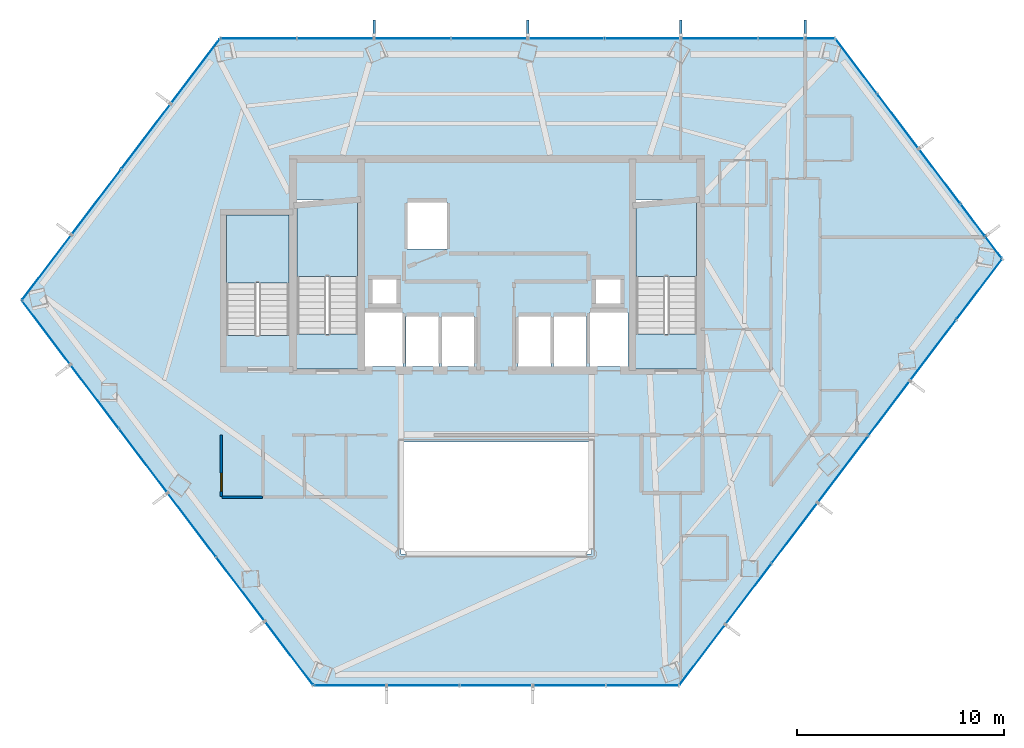
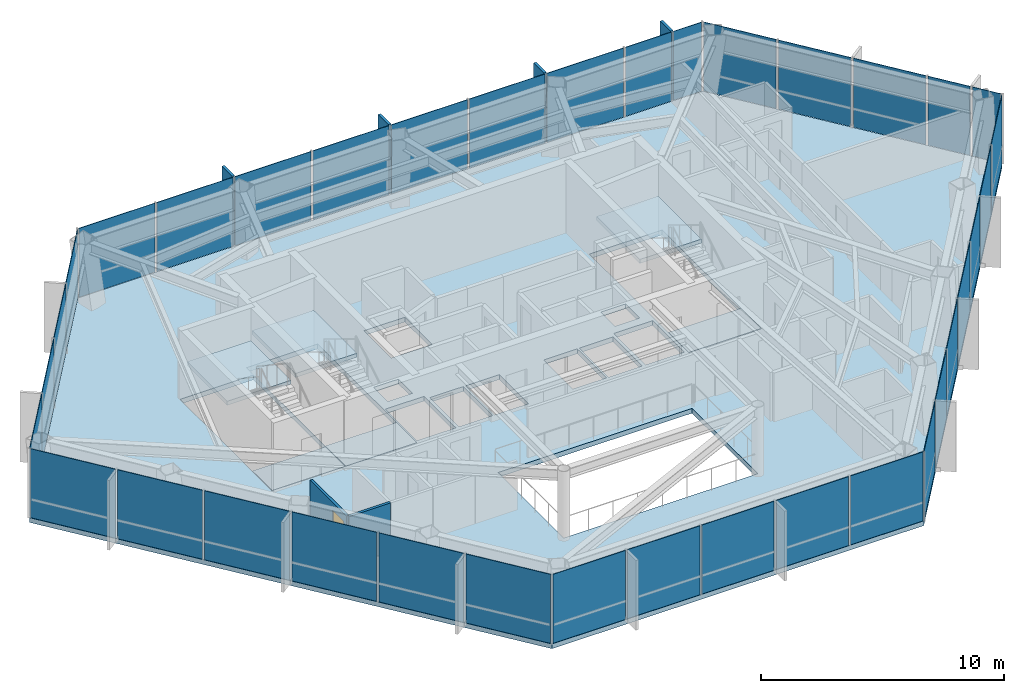
# One storey, part 26 of 30: 36 plates, 7 slabs, 4 members, 2 walls, 1 door, 1 opening, 9 elements without a shape of their own.
"""IFC4 building model written with IfcOpenShell, lengths in metres."""

from ifc_helpers import new_model, si_unit, direction, frame, frame_2d, origin, origin_2d, place, context, subcontext, project, spatial, polyline, rectangle, outline, extrude, material, layer, layer_set, material_profile, profile_set, type_object, element, fill, aggregate, save


model = new_model("IFC4")

# Units and contexts
model_context = context("Model", 3, precision=1e-05, world=origin(), true_north=direction((0.0, 1.0)))
body_context = subcontext(model_context, "Body", "Model", "MODEL_VIEW")
ifc_project = project(units=[si_unit("LENGTHUNIT", "METRE"), si_unit("AREAUNIT", "SQUARE_METRE"), si_unit("VOLUMEUNIT", "CUBIC_METRE"), si_unit("PLANEANGLEUNIT", "RADIAN"), si_unit("MASSUNIT", "GRAM", prefix="KILO")], contexts=[model_context])

# Site, building, storey
site_placement = place(None, origin())
site = spatial("IfcSite", under=ifc_project, at=site_placement, CompositionType="ELEMENT")
building_placement = place(site_placement, origin())
building = spatial("IfcBuilding", under=site, at=building_placement, Name="Zarrinselat Tower", CompositionType="ELEMENT")
storey_placement = place(building_placement, frame((0.0, 0.0, 130.89990234375)))
storey = spatial("IfcBuildingStorey", under=building, at=storey_placement, Name="L31", CompositionType="ELEMENT", Elevation=130.89990234375)

# Curtain wall, members, plates
ifc_material_1 = material(Name="Extruded Aluminium Alloy EN AW-6063 T6", Category="aluminium")
ifc_layer_1 = layer(ifc_material_1, 0.175048828125)
ifc_layer_set_1 = layer_set([ifc_layer_1], Name="Extruded Aluminium Alloy EN AW-6063 T6")
curtain_wall_type = type_object("IfcCurtainWallType", Name="CWS-HTL", PredefinedType="NOTDEFINED", material=ifc_layer_set_1)
curtain_wall_1_placement = place(storey_placement, origin())
curtain_wall_1 = element("IfcCurtainWall", 1, at=curtain_wall_1_placement, inside=storey, type_object=curtain_wall_type, Name="L31 Unitised Curtain Wall CW-L31-E01", PredefinedType="NOTDEFINED")
ifc_material_2 = material(Name="Honed Cream Travertine Stone", Category="masonry")
ifc_material_profile = material_profile(ifc_material_2, rectangle(XDim=0.1201171875, YDim=0.85009765625, at=origin_2d()), Name="FIN 850x120")
ifc_profile_set = profile_set([ifc_material_profile], Name="Honed Cream Travertine Stone")
member_type = type_object("IfcMemberType", Name="MEM-STONE-FIN", PredefinedType="USERDEFINED", material=ifc_profile_set)
member_1_placement = place(storey_placement, frame((53.300048828125, 49.726806640625, 0.0), z_axis=(0.0, 0.0, 1.0), x_axis=(1.0, 0.0, 0.0)))
member_1 = element("IfcMember", 2, at=member_1_placement, type_object=member_type, Name="L31 Stone Shading Fin CW-L31-E01-01", ObjectType="FIN", PredefinedType="USERDEFINED", context=body_context, shape_type="SweptSolid", body=[
    extrude(rectangle(XDim=0.1201171875, YDim=0.85009765625, at=origin_2d()), origin(), (0.0, 0.0, 1.0), 3.5),
])
member_2_placement = place(storey_placement, frame((47.300048828125, 49.726806640625, 0.0), z_axis=(0.0, 0.0, 1.0), x_axis=(1.0, 0.0, 0.0)))
member_2 = element("IfcMember", 3, at=member_2_placement, type_object=member_type, Name="L31 Stone Shading Fin CW-L31-E01-03", ObjectType="FIN", PredefinedType="USERDEFINED", context=body_context, shape_type="SweptSolid", body=[
    extrude(rectangle(XDim=0.1201171875, YDim=0.85009765625, at=origin_2d()), origin(), (0.0, 0.0, 1.0), 3.5),
])
member_3_placement = place(storey_placement, frame((39.91552734375, 49.726806640625, 0.0), z_axis=(0.0, 0.0, 1.0), x_axis=(1.0, 0.0, 0.0)))
member_3 = element("IfcMember", 4, at=member_3_placement, type_object=member_type, Name="L31 Stone Shading Fin CW-L31-E01-05", ObjectType="FIN", PredefinedType="USERDEFINED", context=body_context, shape_type="SweptSolid", body=[
    extrude(rectangle(XDim=0.1201171875, YDim=0.85009765625, at=origin_2d()), origin(), (0.0, 0.0, 1.0), 3.5),
])
member_4_placement = place(storey_placement, frame((32.504638671875, 49.726806640625, 0.0), z_axis=(0.0, 0.0, 1.0), x_axis=(1.0, 0.0, 0.0)))
member_4 = element("IfcMember", 5, at=member_4_placement, type_object=member_type, Name="L31 Stone Shading Fin CW-L31-E01-07", ObjectType="FIN", PredefinedType="USERDEFINED", context=body_context, shape_type="SweptSolid", body=[
    extrude(rectangle(XDim=0.1201171875, YDim=0.85009765625, at=origin_2d()), origin(), (0.0, 0.0, 1.0), 3.5),
])
ifc_material_3 = material(Name="Double Low-E Laminated Solar Glass", Category="glass")
ifc_layer_2 = layer(ifc_material_3, 0.028076171875)
ifc_layer_set_2 = layer_set([ifc_layer_2], Name="Double Low-E Laminated Solar Glass")
plate_type = type_object("IfcPlateType", Name="PLT-CW-GL28", PredefinedType="CURTAIN_PANEL", material=ifc_layer_set_2)
plate_1_placement = place(storey_placement, frame((54.018798828125, 49.2666015625, 0.02001953125), z_axis=(0.0, 0.0, 1.0), x_axis=(-1.0, 0.0, 0.0)))
plate_1 = element("IfcPlate", 6, at=plate_1_placement, type_object=plate_type, Name="CW-L31-E01 Vision Glass Panel 1", PredefinedType="CURTAIN_PANEL", context=body_context, shape_type="SweptSolid", body=[
    extrude(rectangle(XDim=1.337646484375, YDim=0.028076171875, at=origin_2d()), origin(), (0.0, 0.0, 1.0), 3.4599609375),
])
plate_2_placement = place(storey_placement, frame((52.166015625, 49.2666015625, 0.02001953125), z_axis=(0.0, 0.0, 1.0), x_axis=(-1.0, 0.0, 0.0)))
plate_2 = element("IfcPlate", 7, at=plate_2_placement, type_object=plate_type, Name="CW-L31-E01 Vision Glass Panel 2", PredefinedType="CURTAIN_PANEL", context=body_context, shape_type="SweptSolid", body=[
    extrude(rectangle(XDim=2.16796875, YDim=0.028076171875, at=origin_2d()), origin(), (0.0, 0.0, 1.0), 3.4599609375),
])
plate_3_placement = place(storey_placement, frame((49.166015625, 49.2666015625, 0.02001953125), z_axis=(0.0, 0.0, 1.0), x_axis=(-1.0, 0.0, 0.0)))
plate_3 = element("IfcPlate", 8, at=plate_3_placement, type_object=plate_type, Name="CW-L31-E01 Vision Glass Panel 3", PredefinedType="CURTAIN_PANEL", context=body_context, shape_type="SweptSolid", body=[
    extrude(rectangle(XDim=3.632080078125, YDim=0.028076171875, at=origin_2d()), origin(), (0.0, 0.0, 1.0), 3.4599609375),
])
plate_4_placement = place(storey_placement, frame((45.46044921875, 49.2666015625, 0.02001953125), z_axis=(0.0, 0.0, 1.0), x_axis=(-1.0, 0.0, 0.0)))
plate_4 = element("IfcPlate", 9, at=plate_4_placement, type_object=plate_type, Name="CW-L31-E01 Vision Glass Panel 4", PredefinedType="CURTAIN_PANEL", context=body_context, shape_type="SweptSolid", body=[
    extrude(rectangle(XDim=3.578857421875, YDim=0.028076171875, at=origin_2d()), origin(), (0.0, 0.0, 1.0), 3.4599609375),
])
plate_5_placement = place(storey_placement, frame((41.768310546875, 49.2666015625, 0.02001953125), z_axis=(0.0, 0.0, 1.0), x_axis=(-1.0, 0.0, 0.0)))
plate_5 = element("IfcPlate", 10, at=plate_5_placement, type_object=plate_type, Name="CW-L31-E01 Vision Glass Panel 5", PredefinedType="CURTAIN_PANEL", context=body_context, shape_type="SweptSolid", body=[
    extrude(rectangle(XDim=3.60546875, YDim=0.028076171875, at=origin_2d()), origin(), (0.0, 0.0, 1.0), 3.4599609375),
])
plate_6_placement = place(storey_placement, frame((38.062744140625, 49.2666015625, 0.02001953125), z_axis=(0.0, 0.0, 1.0), x_axis=(-1.0, 0.0, 0.0)))
plate_6 = element("IfcPlate", 11, at=plate_6_placement, type_object=plate_type, Name="CW-L31-E01 Vision Glass Panel 6", PredefinedType="CURTAIN_PANEL", context=body_context, shape_type="SweptSolid", body=[
    extrude(rectangle(XDim=3.60546875, YDim=0.028076171875, at=origin_2d()), origin(), (0.0, 0.0, 1.0), 3.4599609375),
])
plate_7_placement = place(storey_placement, frame((34.357421875, 49.2666015625, 0.02001953125), z_axis=(0.0, 0.0, 1.0), x_axis=(-1.0, 0.0, 0.0)))
plate_7 = element("IfcPlate", 12, at=plate_7_placement, type_object=plate_type, Name="CW-L31-E01 Vision Glass Panel 7", PredefinedType="CURTAIN_PANEL", context=body_context, shape_type="SweptSolid", body=[
    extrude(rectangle(XDim=3.60546875, YDim=0.028076171875, at=origin_2d()), origin(), (0.0, 0.0, 1.0), 3.4599609375),
])
plate_8_placement = place(storey_placement, frame((30.65185546875, 49.2666015625, 0.02001953125), z_axis=(0.0, 0.0, 1.0), x_axis=(-1.0, 0.0, 0.0)))
plate_8 = element("IfcPlate", 13, at=plate_8_placement, type_object=plate_type, Name="CW-L31-E01 Vision Glass Panel 8", PredefinedType="CURTAIN_PANEL", context=body_context, shape_type="SweptSolid", body=[
    extrude(rectangle(XDim=3.60546875, YDim=0.028076171875, at=origin_2d()), origin(), (0.0, 0.0, 1.0), 3.4599609375),
])
plate_9_placement = place(storey_placement, frame((26.9462890625, 49.2666015625, 0.02001953125), z_axis=(0.0, 0.0, 1.0), x_axis=(-1.0, 0.0, 0.0)))
plate_9 = element("IfcPlate", 14, at=plate_9_placement, type_object=plate_type, Name="CW-L31-E01 Vision Glass Panel 9", PredefinedType="CURTAIN_PANEL", context=body_context, shape_type="SweptSolid", body=[
    extrude(rectangle(XDim=3.60546875, YDim=0.028076171875, at=origin_2d()), origin(), (0.0, 0.0, 1.0), 3.4599609375),
])
aggregate(curtain_wall_1, [member_1, member_2, member_3, member_4, plate_1, plate_2, plate_3, plate_4, plate_5, plate_6, plate_7, plate_8, plate_9])

# Curtain wall, plates
curtain_wall_2_placement = place(storey_placement, origin())
curtain_wall_2 = element("IfcCurtainWall", 15, at=curtain_wall_2_placement, inside=storey, type_object=curtain_wall_type, Name="L31 Unitised Curtain Wall CW-L31-E02", PredefinedType="NOTDEFINED")
plate_10_placement = place(storey_placement, frame((23.896728515625, 47.68701171875, 0.02001953125), z_axis=(0.0, 0.0, 1.0), x_axis=(-0.603858052292, -0.797091872172, 0.0)))
plate_10 = element("IfcPlate", 16, at=plate_10_placement, type_object=plate_type, Name="CW-L31-E02 Vision Glass Panel 1", PredefinedType="CURTAIN_PANEL", context=body_context, shape_type="SweptSolid", body=[
    extrude(rectangle(XDim=3.86376953125, YDim=0.028076171875, at=origin_2d()), origin(), (0.0, 0.0, 1.0), 3.4599609375),
])
plate_11_placement = place(storey_placement, frame((21.50341796875, 44.527587890625, 0.02001953125), z_axis=(0.0, 0.0, 1.0), x_axis=(-0.603858052292, -0.797091872172, 0.0)))
plate_11 = element("IfcPlate", 17, at=plate_11_placement, type_object=plate_type, Name="CW-L31-E02 Vision Glass Panel 2", PredefinedType="CURTAIN_PANEL", context=body_context, shape_type="SweptSolid", body=[
    extrude(rectangle(XDim=3.86376953125, YDim=0.028076171875, at=origin_2d()), origin(), (0.0, 0.0, 1.0), 3.4599609375),
])
plate_12_placement = place(storey_placement, frame((19.10986328125, 41.3681640625, 0.02001953125), z_axis=(0.0, 0.0, 1.0), x_axis=(-0.603858052292, -0.797091872172, 0.0)))
plate_12 = element("IfcPlate", 18, at=plate_12_placement, type_object=plate_type, Name="CW-L31-E02 Vision Glass Panel 3", PredefinedType="CURTAIN_PANEL", context=body_context, shape_type="SweptSolid", body=[
    extrude(rectangle(XDim=3.86376953125, YDim=0.028076171875, at=origin_2d()), origin(), (0.0, 0.0, 1.0), 3.4599609375),
])
plate_13_placement = place(storey_placement, frame((16.71630859375, 38.20849609375, 0.02001953125), z_axis=(0.0, 0.0, 1.0), x_axis=(-0.603858052292, -0.797091872172, 0.0)))
plate_13 = element("IfcPlate", 19, at=plate_13_placement, type_object=plate_type, Name="CW-L31-E02 Vision Glass Panel 4", PredefinedType="CURTAIN_PANEL", context=body_context, shape_type="SweptSolid", body=[
    extrude(rectangle(XDim=3.86376953125, YDim=0.028076171875, at=origin_2d()), origin(), (0.0, 0.0, 1.0), 3.4599609375),
])
aggregate(curtain_wall_2, [plate_10, plate_11, plate_12, plate_13])

curtain_wall_3_placement = place(storey_placement, origin())
curtain_wall_3 = element("IfcCurtainWall", 20, at=curtain_wall_3_placement, inside=storey, type_object=curtain_wall_type, Name="L31 Unitised Curtain Wall CW-L31-E03", PredefinedType="NOTDEFINED")
plate_14_placement = place(storey_placement, frame((16.69140625, 35.08203125, 0.02001953125), z_axis=(0.0, 0.0, 1.0), x_axis=(0.603858349394, -0.797091647094, 0.0)))
plate_14 = element("IfcPlate", 21, at=plate_14_placement, type_object=plate_type, Name="CW-L31-E03 Vision Glass Panel 1", PredefinedType="CURTAIN_PANEL", context=body_context, shape_type="SweptSolid", body=[
    extrude(rectangle(XDim=3.78125, YDim=0.028076171875, at=origin_2d()), origin(), (0.0, 0.0, 1.0), 3.4599609375),
])
plate_15_placement = place(storey_placement, frame((19.03515625, 31.98828125, 0.02001953125), z_axis=(0.0, 0.0, 1.0), x_axis=(0.603858349394, -0.797091647094, 0.0)))
plate_15 = element("IfcPlate", 22, at=plate_15_placement, type_object=plate_type, Name="CW-L31-E03 Vision Glass Panel 2", PredefinedType="CURTAIN_PANEL", context=body_context, shape_type="SweptSolid", body=[
    extrude(rectangle(XDim=3.78125, YDim=0.028076171875, at=origin_2d()), origin(), (0.0, 0.0, 1.0), 3.4599609375),
])
plate_16_placement = place(storey_placement, frame((21.37890625, 28.89453125, 0.02001953125), z_axis=(0.0, 0.0, 1.0), x_axis=(0.603858349394, -0.797091647094, 0.0)))
plate_16 = element("IfcPlate", 23, at=plate_16_placement, type_object=plate_type, Name="CW-L31-E03 Vision Glass Panel 3", PredefinedType="CURTAIN_PANEL", context=body_context, shape_type="SweptSolid", body=[
    extrude(rectangle(XDim=3.78125, YDim=0.028076171875, at=origin_2d()), origin(), (0.0, 0.0, 1.0), 3.4599609375),
])
plate_17_placement = place(storey_placement, frame((23.72265625, 25.80078125, 0.02001953125), z_axis=(0.0, 0.0, 1.0), x_axis=(0.603858349394, -0.797091647094, 0.0)))
plate_17 = element("IfcPlate", 24, at=plate_17_placement, type_object=plate_type, Name="CW-L31-E03 Vision Glass Panel 4", PredefinedType="CURTAIN_PANEL", context=body_context, shape_type="SweptSolid", body=[
    extrude(rectangle(XDim=3.78125, YDim=0.028076171875, at=origin_2d()), origin(), (0.0, 0.0, 1.0), 3.4599609375),
])
plate_18_placement = place(storey_placement, frame((26.06640625, 22.706787109375, 0.02001953125), z_axis=(0.0, 0.0, 1.0), x_axis=(0.603858349394, -0.797091647094, 0.0)))
plate_18 = element("IfcPlate", 25, at=plate_18_placement, type_object=plate_type, Name="CW-L31-E03 Vision Glass Panel 5", PredefinedType="CURTAIN_PANEL", context=body_context, shape_type="SweptSolid", body=[
    extrude(rectangle(XDim=3.78125, YDim=0.028076171875, at=origin_2d()), origin(), (0.0, 0.0, 1.0), 3.4599609375),
])
plate_19_placement = place(storey_placement, frame((28.41015625, 19.61328125, 0.02001953125), z_axis=(0.0, 0.0, 1.0), x_axis=(0.603858349394, -0.797091647094, 0.0)))
plate_19 = element("IfcPlate", 26, at=plate_19_placement, type_object=plate_type, Name="CW-L31-E03 Vision Glass Panel 6", PredefinedType="CURTAIN_PANEL", context=body_context, shape_type="SweptSolid", body=[
    extrude(rectangle(XDim=3.78125, YDim=0.028076171875, at=origin_2d()), origin(), (0.0, 0.0, 1.0), 3.4599609375),
])
aggregate(curtain_wall_3, [plate_14, plate_15, plate_16, plate_17, plate_18, plate_19])

curtain_wall_4_placement = place(storey_placement, origin())
curtain_wall_4 = element("IfcCurtainWall", 27, at=curtain_wall_4_placement, inside=storey, type_object=curtain_wall_type, Name="L31 Unitised Curtain Wall CW-L31-E04", PredefinedType="NOTDEFINED")
plate_20_placement = place(storey_placement, frame((31.345703125, 18.06640625, 0.02001953125), z_axis=(0.0, 0.0, 1.0), x_axis=(1.0, 0.0, 0.0)))
plate_20 = element("IfcPlate", 28, at=plate_20_placement, type_object=plate_type, Name="CW-L31-E04 Vision Glass Panel 1", PredefinedType="CURTAIN_PANEL", context=body_context, shape_type="SweptSolid", body=[
    extrude(rectangle(XDim=3.42724609375, YDim=0.028076171875, at=origin_2d()), origin(), (0.0, 0.0, 1.0), 3.4599609375),
])
plate_21_placement = place(storey_placement, frame((34.872802734375, 18.06640625, 0.02001953125), z_axis=(0.0, 0.0, 1.0), x_axis=(1.0, 0.0, 0.0)))
plate_21 = element("IfcPlate", 29, at=plate_21_placement, type_object=plate_type, Name="CW-L31-E04 Vision Glass Panel 2", PredefinedType="CURTAIN_PANEL", context=body_context, shape_type="SweptSolid", body=[
    extrude(rectangle(XDim=3.42724609375, YDim=0.028076171875, at=origin_2d()), origin(), (0.0, 0.0, 1.0), 3.4599609375),
])
plate_22_placement = place(storey_placement, frame((38.39990234375, 18.06640625, 0.02001953125), z_axis=(0.0, 0.0, 1.0), x_axis=(1.0, 0.0, 0.0)))
plate_22 = element("IfcPlate", 30, at=plate_22_placement, type_object=plate_type, Name="CW-L31-E04 Vision Glass Panel 3", PredefinedType="CURTAIN_PANEL", context=body_context, shape_type="SweptSolid", body=[
    extrude(rectangle(XDim=3.42724609375, YDim=0.028076171875, at=origin_2d()), origin(), (0.0, 0.0, 1.0), 3.4599609375),
])
plate_23_placement = place(storey_placement, frame((41.92724609375, 18.06640625, 0.02001953125), z_axis=(0.0, 0.0, 1.0), x_axis=(1.0, 0.0, 0.0)))
plate_23 = element("IfcPlate", 31, at=plate_23_placement, type_object=plate_type, Name="CW-L31-E04 Vision Glass Panel 4", PredefinedType="CURTAIN_PANEL", context=body_context, shape_type="SweptSolid", body=[
    extrude(rectangle(XDim=3.42724609375, YDim=0.028076171875, at=origin_2d()), origin(), (0.0, 0.0, 1.0), 3.4599609375),
])
plate_24_placement = place(storey_placement, frame((45.454345703125, 18.06640625, 0.02001953125), z_axis=(0.0, 0.0, 1.0), x_axis=(1.0, 0.0, 0.0)))
plate_24 = element("IfcPlate", 32, at=plate_24_placement, type_object=plate_type, Name="CW-L31-E04 Vision Glass Panel 5", PredefinedType="CURTAIN_PANEL", context=body_context, shape_type="SweptSolid", body=[
    extrude(rectangle(XDim=3.42724609375, YDim=0.028076171875, at=origin_2d()), origin(), (0.0, 0.0, 1.0), 3.4599609375),
])
aggregate(curtain_wall_4, [plate_20, plate_21, plate_22, plate_23, plate_24])

curtain_wall_5_placement = place(storey_placement, origin())
curtain_wall_5 = element("IfcCurtainWall", 33, at=curtain_wall_5_placement, inside=storey, type_object=curtain_wall_type, Name="L31 Unitised Curtain Wall CW-L31-E05", PredefinedType="NOTDEFINED")
plate_25_placement = place(storey_placement, frame((48.33056640625, 19.53515625, 0.02001953125), z_axis=(0.0, 0.0, 1.0), x_axis=(0.603858135777, 0.797091808926, 0.0)))
plate_25 = element("IfcPlate", 34, at=plate_25_placement, type_object=plate_type, Name="CW-L31-E05 Vision Glass Panel 1", PredefinedType="CURTAIN_PANEL", context=body_context, shape_type="SweptSolid", body=[
    extrude(rectangle(XDim=3.58544921875, YDim=0.028076171875, at=origin_2d()), origin(), (0.0, 0.0, 1.0), 3.4599609375),
])
plate_26_placement = place(storey_placement, frame((50.55615234375, 22.47265625, 0.02001953125), z_axis=(0.0, 0.0, 1.0), x_axis=(0.603858135777, 0.797091808926, 0.0)))
plate_26 = element("IfcPlate", 35, at=plate_26_placement, type_object=plate_type, Name="CW-L31-E05 Vision Glass Panel 2", PredefinedType="CURTAIN_PANEL", context=body_context, shape_type="SweptSolid", body=[
    extrude(rectangle(XDim=3.58544921875, YDim=0.028076171875, at=origin_2d()), origin(), (0.0, 0.0, 1.0), 3.4599609375),
])
plate_27_placement = place(storey_placement, frame((52.781494140625, 25.410400390625, 0.02001953125), z_axis=(0.0, 0.0, 1.0), x_axis=(0.603858135777, 0.797091808926, 0.0)))
plate_27 = element("IfcPlate", 36, at=plate_27_placement, type_object=plate_type, Name="CW-L31-E05 Vision Glass Panel 3", PredefinedType="CURTAIN_PANEL", context=body_context, shape_type="SweptSolid", body=[
    extrude(rectangle(XDim=3.58544921875, YDim=0.028076171875, at=origin_2d()), origin(), (0.0, 0.0, 1.0), 3.4599609375),
])
plate_28_placement = place(storey_placement, frame((55.119384765625, 28.496337890625, 0.02001953125), z_axis=(0.0, 0.0, 1.0), x_axis=(0.603858135777, 0.797091808926, 0.0)))
plate_28 = element("IfcPlate", 37, at=plate_28_placement, type_object=plate_type, Name="CW-L31-E05 Vision Glass Panel 4", PredefinedType="CURTAIN_PANEL", context=body_context, shape_type="SweptSolid", body=[
    extrude(rectangle(XDim=3.9580078125, YDim=0.028076171875, at=origin_2d()), origin(), (0.0, 0.0, 1.0), 3.4599609375),
])
plate_29_placement = place(storey_placement, frame((57.344970703125, 31.43408203125, 0.02001953125), z_axis=(0.0, 0.0, 1.0), x_axis=(0.603858135777, 0.797091808926, 0.0)))
plate_29 = element("IfcPlate", 38, at=plate_29_placement, type_object=plate_type, Name="CW-L31-E05 Vision Glass Panel 5", PredefinedType="CURTAIN_PANEL", context=body_context, shape_type="SweptSolid", body=[
    extrude(rectangle(XDim=3.212646484375, YDim=0.028076171875, at=origin_2d()), origin(), (0.0, 0.0, 1.0), 3.4599609375),
])
plate_30_placement = place(storey_placement, frame((59.4580078125, 34.22314453125, 0.02001953125), z_axis=(0.0, 0.0, 1.0), x_axis=(0.603858135777, 0.797091808926, 0.0)))
plate_30 = element("IfcPlate", 39, at=plate_30_placement, type_object=plate_type, Name="CW-L31-E05 Vision Glass Panel 6", PredefinedType="CURTAIN_PANEL", context=body_context, shape_type="SweptSolid", body=[
    extrude(rectangle(XDim=3.58544921875, YDim=0.028076171875, at=origin_2d()), origin(), (0.0, 0.0, 1.0), 3.4599609375),
])
plate_31_placement = place(storey_placement, frame((61.683349609375, 37.16064453125, 0.02001953125), z_axis=(0.0, 0.0, 1.0), x_axis=(0.603858135777, 0.797091808926, 0.0)))
plate_31 = element("IfcPlate", 40, at=plate_31_placement, type_object=plate_type, Name="CW-L31-E05 Vision Glass Panel 7", PredefinedType="CURTAIN_PANEL", context=body_context, shape_type="SweptSolid", body=[
    extrude(rectangle(XDim=3.58544921875, YDim=0.028076171875, at=origin_2d()), origin(), (0.0, 0.0, 1.0), 3.4599609375),
])
aggregate(curtain_wall_5, [plate_25, plate_26, plate_27, plate_28, plate_29, plate_30, plate_31])

curtain_wall_6_placement = place(storey_placement, origin())
curtain_wall_6 = element("IfcCurtainWall", 41, at=curtain_wall_6_placement, inside=storey, type_object=curtain_wall_type, Name="L31 Unitised Curtain Wall CW-L31-E06", PredefinedType="NOTDEFINED")
plate_32_placement = place(storey_placement, frame((62.385009765625, 39.172119140625, 0.02001953125), z_axis=(0.0, 0.0, 1.0), x_axis=(-0.603858409354, 0.79709160167, 0.0)))
plate_32 = element("IfcPlate", 42, at=plate_32_placement, type_object=plate_type, Name="CW-L31-E06 Vision Glass Panel 1", PredefinedType="CURTAIN_PANEL", context=body_context, shape_type="SweptSolid", body=[
    extrude(rectangle(XDim=1.26123046875, YDim=0.028076171875, at=origin_2d()), origin(), (0.0, 0.0, 1.0), 3.4599609375),
])
plate_33_placement = place(storey_placement, frame((61.377685546875, 40.501708984375, 0.02001953125), z_axis=(0.0, 0.0, 1.0), x_axis=(-0.603858409354, 0.79709160167, 0.0)))
plate_33 = element("IfcPlate", 43, at=plate_33_placement, type_object=plate_type, Name="CW-L31-E06 Vision Glass Panel 2", PredefinedType="CURTAIN_PANEL", context=body_context, shape_type="SweptSolid", body=[
    extrude(rectangle(XDim=1.875, YDim=0.028076171875, at=origin_2d()), origin(), (0.0, 0.0, 1.0), 3.4599609375),
])
plate_34_placement = place(storey_placement, frame((59.774169921875, 42.618408203125, 0.02001953125), z_axis=(0.0, 0.0, 1.0), x_axis=(-0.603858409354, 0.79709160167, 0.0)))
plate_34 = element("IfcPlate", 44, at=plate_34_placement, type_object=plate_type, Name="CW-L31-E06 Vision Glass Panel 3", PredefinedType="CURTAIN_PANEL", context=body_context, shape_type="SweptSolid", body=[
    extrude(rectangle(XDim=3.236328125, YDim=0.028076171875, at=origin_2d()), origin(), (0.0, 0.0, 1.0), 3.4599609375),
])
plate_35_placement = place(storey_placement, frame((57.759521484375, 45.277587890625, 0.02001953125), z_axis=(0.0, 0.0, 1.0), x_axis=(-0.603858409354, 0.79709160167, 0.0)))
plate_35 = element("IfcPlate", 45, at=plate_35_placement, type_object=plate_type, Name="CW-L31-E06 Vision Glass Panel 4", PredefinedType="CURTAIN_PANEL", context=body_context, shape_type="SweptSolid", body=[
    extrude(rectangle(XDim=3.236328125, YDim=0.028076171875, at=origin_2d()), origin(), (0.0, 0.0, 1.0), 3.4599609375),
])
plate_36_placement = place(storey_placement, frame((55.744873046875, 47.93701171875, 0.02001953125), z_axis=(0.0, 0.0, 1.0), x_axis=(-0.603858409354, 0.79709160167, 0.0)))
plate_36 = element("IfcPlate", 46, at=plate_36_placement, type_object=plate_type, Name="CW-L31-E06 Vision Glass Panel 5", PredefinedType="CURTAIN_PANEL", context=body_context, shape_type="SweptSolid", body=[
    extrude(rectangle(XDim=3.236328125, YDim=0.028076171875, at=origin_2d()), origin(), (0.0, 0.0, 1.0), 3.4599609375),
])
aggregate(curtain_wall_6, [plate_32, plate_33, plate_34, plate_35, plate_36])

# Slabs
ifc_material_4 = material(Name="Concrete C40/50", Category="concrete")
ifc_layer_3 = layer(ifc_material_4, 0.239990234375)
ifc_layer_set_3 = layer_set([ifc_layer_3], Name="Concrete C40/50")
slab_type_1 = type_object("IfcSlabType", Name="SLB-FLOOR-240-SL-HT240", PredefinedType="FLOOR", material=ifc_layer_set_3)
slab_1_placement = place(storey_placement, frame((0.0, 0.0, -0.239990234375)))
element("IfcSlab", 47, at=slab_1_placement, inside=storey, type_object=slab_type_1, Name="L31 Primary Structural Slab", PredefinedType="FLOOR", context=body_context, shape_type="SweptSolid", body=[
    extrude(outline(polyline([(54.737548828125, 49.2666015625), (25.093505859375, 49.2666015625), (15.51953125, 36.62890625), (29.58203125, 18.06640625), (47.218017578125, 18.06640625), (62.796142578125, 38.62939453125), (54.737548828125, 49.2666015625)]), holes=[polyline([(35.64990234375, 33.449951171875), (34.050048828125, 33.449951171875), (34.050048828125, 35.85009765625), (35.64990234375, 35.85009765625), (35.64990234375, 33.449951171875)]), polyline([(35.75, 33.449951171875), (35.75, 35.85009765625), (37.35009765625, 35.85009765625), (37.35009765625, 33.449951171875), (35.75, 33.449951171875)]), polyline([(32.06005859375, 33.449951171875), (32.06005859375, 36.050048828125), (33.89990234375, 36.050048828125), (33.89990234375, 33.449951171875), (32.06005859375, 33.449951171875)]), polyline([(33.60009765625, 36.47998046875), (32.419921875, 36.47998046875), (32.419921875, 37.639892578125), (33.60009765625, 37.639892578125), (33.60009765625, 36.47998046875)]), polyline([(28.594970703125, 33.324951171875), (25.114990234375, 33.324951171875), (25.114990234375, 40.875), (28.594970703125, 40.875), (28.594970703125, 33.324951171875)]), polyline([(31.985107421875, 33.324951171875), (28.60498046875, 33.324951171875), (28.60498046875, 41.47509765625), (31.985107421875, 41.47509765625), (31.985107421875, 33.324951171875)]), polyline([(36.050048828125, 39.10009765625), (34.10009765625, 39.10009765625), (34.10009765625, 41.35009765625), (36.050048828125, 41.35009765625), (36.050048828125, 39.10009765625)]), polyline([(33.800048828125, 24.39990234375), (33.800048828125, 29.800048828125), (43.0, 29.800048828125), (43.0, 24.39990234375), (33.800048828125, 24.39990234375)]), polyline([(39.449951171875, 33.449951171875), (39.449951171875, 35.85009765625), (41.050048828125, 35.85009765625), (41.050048828125, 33.449951171875), (39.449951171875, 33.449951171875)]), polyline([(41.14990234375, 33.449951171875), (41.14990234375, 35.85009765625), (42.75, 35.85009765625), (42.75, 33.449951171875), (41.14990234375, 33.449951171875)]), polyline([(42.89990234375, 33.449951171875), (42.89990234375, 36.050048828125), (44.739990234375, 36.050048828125), (44.739990234375, 33.449951171875), (42.89990234375, 33.449951171875)]), polyline([(43.199951171875, 36.47998046875), (43.199951171875, 37.639892578125), (44.3798828125, 37.639892578125), (44.3798828125, 36.47998046875), (43.199951171875, 36.47998046875)]), polyline([(48.324951171875, 33.324951171875), (44.875, 33.324951171875), (44.875, 41.47509765625), (48.324951171875, 41.47509765625), (48.324951171875, 33.324951171875)])]), origin(), (0.0, 0.0, 1.0), 0.239990234375),
])
slab_2_placement = place(storey_placement, frame((0.0, 0.0, -0.239990234375)))
element("IfcSlab", 48, at=slab_2_placement, inside=storey, type_object=slab_type_1, Name="L31 Stair ST-1-FL1 Structural Floor Landing", PredefinedType="FLOOR", context=body_context, shape_type="SweptSolid", body=[
    extrude(outline(polyline([(31.97998046875, 33.330078125), (31.97998046875, 35.0), (28.610107421875, 35.0), (28.610107421875, 33.330078125), (31.97998046875, 33.330078125)])), origin(), (0.0, 0.0, 1.0), 0.239990234375),
])
slab_3_placement = place(storey_placement, frame((0.0, 0.0, -0.239990234375)))
element("IfcSlab", 49, at=slab_3_placement, inside=storey, type_object=slab_type_1, Name="L31 Stair ST-2-FL1 Structural Floor Landing", PredefinedType="FLOOR", context=body_context, shape_type="SweptSolid", body=[
    extrude(outline(polyline([(48.320068359375, 33.330078125), (48.320068359375, 35.0), (44.8798828125, 35.0), (44.8798828125, 33.330078125), (48.320068359375, 33.330078125)])), origin(), (0.0, 0.0, 1.0), 0.239990234375),
])
slab_4_placement = place(storey_placement, frame((0.0, 0.0, -0.239990234375)))
element("IfcSlab", 50, at=slab_4_placement, inside=storey, type_object=slab_type_1, Name="L31 Stair ST-3-FL1 Structural Floor Landing", PredefinedType="FLOOR", context=body_context, shape_type="SweptSolid", body=[
    extrude(outline(polyline([(28.590087890625, 33.330078125), (28.590087890625, 34.949951171875), (25.1201171875, 34.949951171875), (25.1201171875, 33.330078125), (28.590087890625, 33.330078125)])), origin(), (0.0, 0.0, 1.0), 0.239990234375),
])

# Stair, slab
ifc_material_5 = material(Name="Concrete C40/50", Category="concrete")
stair_type_1 = type_object("IfcStairType", Name="STR-CORE-145", PredefinedType="HALF_TURN_STAIR", material=ifc_material_5)
stair_1_placement = place(storey_placement, origin())
stair_1 = element("IfcStair", 51, at=stair_1_placement, inside=storey, type_object=stair_type_1, Name="L31 Podium & Mid-Tower Exit Stair 3", PredefinedType="HALF_TURN_STAIR")
ifc_material_6 = material(Name="Concrete C40/50", Category="concrete")
ifc_layer_4 = layer(ifc_material_6, 0.1650390625)
ifc_layer_set_4 = layer_set([ifc_layer_4], Name="Concrete C40/50")
slab_type_2 = type_object("IfcSlabType", Name="SLB-LND-165", PredefinedType="LANDING", material=ifc_layer_set_4)
slab_5_placement = place(storey_placement, frame((0.0, 0.0, 1.670166015625)))
slab_5 = element("IfcSlab", 52, at=slab_5_placement, type_object=slab_type_2, Name="ST-3 landing 1", PredefinedType="LANDING", context=body_context, shape_type="SweptSolid", body=[
    extrude(outline(polyline([(28.39990234375, 37.469970703125), (28.39990234375, 40.75), (25.3798828125, 40.75), (25.3798828125, 37.469970703125), (28.39990234375, 37.469970703125)])), origin(), (0.0, 0.0, 1.0), 0.199951171875),
])
aggregate(stair_1, [slab_5])

ifc_material_7 = material(Name="Concrete C40/50", Category="concrete")
stair_type_2 = type_object("IfcStairType", Name="STR-CORE-155", PredefinedType="HALF_TURN_STAIR", material=ifc_material_7)
stair_2_placement = place(storey_placement, origin())
stair_2 = element("IfcStair", 53, at=stair_2_placement, inside=storey, type_object=stair_type_2, Name="L31 Core Exit Stair 1", PredefinedType="HALF_TURN_STAIR")
ifc_material_8 = material(Name="Concrete C40/50", Category="concrete")
ifc_layer_5 = layer(ifc_material_8, 0.18994140625)
ifc_layer_set_5 = layer_set([ifc_layer_5], Name="Concrete C40/50")
slab_type_3 = type_object("IfcSlabType", Name="SLB-LND-190", PredefinedType="LANDING", material=ifc_layer_set_5)
slab_6_placement = place(storey_placement, frame((0.0, 0.0, 1.670166015625)))
slab_6 = element("IfcSlab", 54, at=slab_6_placement, type_object=slab_type_3, Name="ST-1 landing 1", PredefinedType="LANDING", context=body_context, shape_type="SweptSolid", body=[
    extrude(outline(polyline([(31.719970703125, 37.7900390625), (31.719970703125, 41.35009765625), (28.800048828125, 41.35009765625), (28.800048828125, 37.7900390625), (31.719970703125, 37.7900390625)])), origin(), (0.0, 0.0, 1.0), 0.199951171875),
])
aggregate(stair_2, [slab_6])

stair_3_placement = place(storey_placement, origin())
stair_3 = element("IfcStair", 55, at=stair_3_placement, inside=storey, type_object=stair_type_2, Name="L31 Core Exit Stair 2", PredefinedType="HALF_TURN_STAIR")
slab_7_placement = place(storey_placement, frame((0.0, 0.0, 1.670166015625)))
slab_7 = element("IfcSlab", 56, at=slab_7_placement, type_object=slab_type_3, Name="ST-2 landing 1", PredefinedType="LANDING", context=body_context, shape_type="SweptSolid", body=[
    extrude(outline(polyline([(48.06005859375, 37.7900390625), (48.06005859375, 41.35009765625), (45.139892578125, 41.35009765625), (45.139892578125, 37.7900390625), (48.06005859375, 37.7900390625)])), origin(), (0.0, 0.0, 1.0), 0.199951171875),
])
aggregate(stair_3, [slab_7])

# Wall
ifc_material_9 = material(Name="Fire-Rated Gypsum Board Partition", Category="gypsum")
ifc_layer_6 = layer(ifc_material_9, 0.1201171875)
ifc_layer_set_6 = layer_set([ifc_layer_6], Name="Fire-Rated Gypsum Board Partition")
wall_type = type_object("IfcWallType", Name="WAL-PART-STD", PredefinedType="PARTITIONING", material=ifc_layer_set_6)
wall_1_placement = place(storey_placement, frame((25.169921875, 27.14990234375, 0.0), z_axis=(0.0, 0.0, 1.0), x_axis=(1.0, 0.0, 0.0)))
element("IfcWall", 57, at=wall_1_placement, inside=storey, type_object=wall_type, Name="L31 Partition Wall 35", PredefinedType="PARTITIONING", context=body_context, shape_type="SweptSolid", body=[
    extrude(rectangle(XDim=1.9599609375, YDim=0.1201171875, at=frame_2d((0.97998046875, 0.0))), origin(), (0.0, 0.0, 1.0), 2.45703125),
])

# Wall, opening, door
wall_2_placement = place(storey_placement, frame((25.14990234375, 27.169921875, 0.0), z_axis=(0.0, 0.0, 1.0), x_axis=(0.0, 1.0, 0.0)))
wall_2 = element("IfcWall", 58, at=wall_2_placement, inside=storey, type_object=wall_type, Name="L31 Partition Wall 36", PredefinedType="PARTITIONING", context=body_context, shape_type="SweptSolid", body=[
    extrude(rectangle(XDim=2.97998046875, YDim=0.1201171875, at=frame_2d((1.489990234375, 0.0))), origin(), (0.0, 0.0, 1.0), 2.45703125),
])
opening_placement = place(wall_2_placement, frame((0.25, 0.0, 0.0)))
opening = element("IfcOpeningElement", 59, at=opening_placement, cuts=wall_2, Name="Opening ID-03", PredefinedType="OPENING", context=body_context, shape_type="SweptSolid", body=[
    extrude(rectangle(XDim=0.8798828125, YDim=2.050048828125, at=frame_2d((0.43994140625, 1.02490234375))), frame((0.0, 0.070068359375, 0.0), z_axis=(0.0, -1.0, 0.0), x_axis=(1.0, 0.0, 0.0)), (0.0, 0.0, 1.0), 0.14013671875),
])
ifc_material_10 = material(Name="Steel S355J2", Category="steel")
door_type = type_object("IfcDoorType", Name="DR-INT-FD60-S", OperationType="NOTDEFINED", PredefinedType="DOOR", material=ifc_material_10)
door_placement = place(opening_placement, origin())
door = element("IfcDoor", 60, at=door_placement, inside=storey, type_object=door_type, Name="L31 Interior Door P36", OperationType="SINGLE_SWING_RIGHT", OverallHeight=2.050048828125, OverallWidth=0.8798828125, PredefinedType="DOOR", context=body_context, shape_type="SweptSolid", body=[
    extrude(rectangle(XDim=0.8798828125, YDim=2.050048828125, at=frame_2d((0.43994140625, 1.02490234375))), frame((0.0, 0.02490234375, 0.0), z_axis=(0.0, -1.0, 0.0), x_axis=(1.0, 0.0, 0.0)), (0.0, 0.0, 1.0), 0.050048828125),
])
fill(opening, door)

save(model, "model.ifc")
